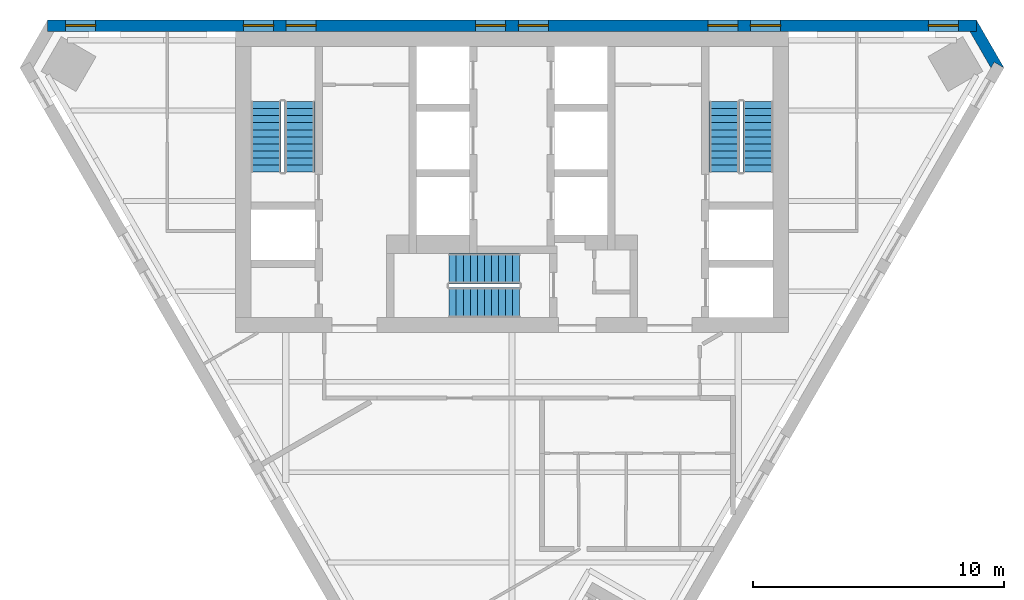
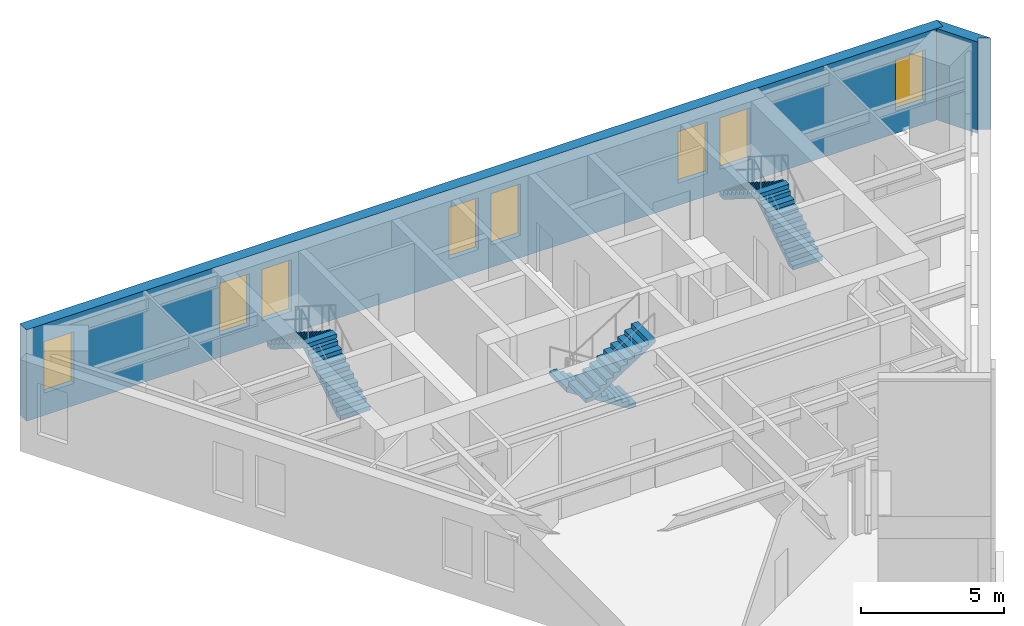
# One storey, part 5 of 6: 8 windows, 6 stair flights, 2 walls, 8 openings, 3 elements without a shape of their own.
"""IFC4 building model written with IfcOpenShell, lengths in metres."""

from ifc_helpers import new_model, si_unit, direction, frame, frame_2d, origin, place, context, subcontext, project, spatial, polyline, rectangle, outline, extrude, material, layer, layer_set, type_object, element, fill, aggregate, save


model = new_model("IFC4")

# Units and contexts
model_context = context("Model", 3, precision=1e-05, world=origin(), true_north=direction((0.0, 1.0)))
body_context = subcontext(model_context, "Body", "Model", "MODEL_VIEW")
ifc_project = project(units=[si_unit("LENGTHUNIT", "METRE"), si_unit("AREAUNIT", "SQUARE_METRE"), si_unit("VOLUMEUNIT", "CUBIC_METRE"), si_unit("PLANEANGLEUNIT", "RADIAN"), si_unit("MASSUNIT", "GRAM", prefix="KILO")], contexts=[model_context])

# Site, building, storey
site_placement = place(None, origin())
site = spatial("IfcSite", under=ifc_project, at=site_placement, CompositionType="ELEMENT")
building_placement = place(site_placement, origin())
building = spatial("IfcBuilding", under=site, at=building_placement, Name="Aloe Facet Convention Tower", CompositionType="ELEMENT")
storey_placement = place(building_placement, frame((0.0, 0.0, 273.800048828125)))
storey = spatial("IfcBuildingStorey", under=building, at=storey_placement, Name="L67", CompositionType="ELEMENT", Elevation=273.800048828125)

# Wall
ifc_material_1 = material(Name="Precast concrete C40/50", Category="concrete")
ifc_layer_1 = layer(ifc_material_1, 0.449951171875)
ifc_layer_set_1 = layer_set([ifc_layer_1], Name="EV-WALL-PIER")
wall_type_1 = type_object("IfcWallType", Name="EV-WALL-PIER", PredefinedType="SOLIDWALL", material=ifc_layer_set_1)
wall_1_placement = place(storey_placement, frame((0.0, 0.0, -0.150146484375)))
element("IfcWall", 1, at=wall_1_placement, inside=storey, type_object=wall_type_1, Name="EP-L67-C", PredefinedType="SOLIDWALL", context=body_context, shape_type="SweptSolid", body=[
    extrude(outline(polyline([(99.586181640625, 133.0947265625), (99.196533203125, 133.31982421875), (99.066650390625, 133.0947265625), (98.226318359375, 134.550048828125), (98.486083984375, 134.550048828125), (98.486083984375, 135.0), (99.586181640625, 133.0947265625)])), origin(), (0.0, 0.0, 1.0), 3.900146484375),
])

# Wall, openings, windows
ifc_material_2 = material(Name="Precast concrete C40/50", Category="concrete")
ifc_layer_2 = layer(ifc_material_2, 0.449951171875)
ifc_layer_set_2 = layer_set([ifc_layer_2], Name="EV-WALL-STONE")
wall_type_2 = type_object("IfcWallType", Name="EV-WALL-STONE", PredefinedType="SOLIDWALL", material=ifc_layer_set_2)
wall_2_placement = place(storey_placement, frame((98.486083984375, 134.77490234375, -0.150146484375), z_axis=(0.0, 0.0, 1.0), x_axis=(-1.0, 0.0, 0.0)))
wall_2 = element("IfcWall", 2, at=wall_2_placement, inside=storey, type_object=wall_type_2, Name="EW-L67-N01", PredefinedType="SOLIDWALL", context=body_context, shape_type="SweptSolid", body=[
    extrude(outline(polyline([(36.972412109375, 0.0), (36.972412109375, 3.900146484375), (0.0, 3.900146484375), (0.0, 0.0), (36.972412109375, 0.0)])), frame((0.0, 0.22509765625, 0.0), z_axis=(0.0, -1.0, 0.0), x_axis=(1.0, 0.0, 0.0)), (0.0, 0.0, 1.0), 0.449951171875),
])
opening_1_placement = place(wall_2_placement, frame((0.714599609375, 0.0, 0.949951171875)))
opening_1 = element("IfcOpeningElement", 3, at=opening_1_placement, cuts=wall_2, Name="Opening W-L67-N01", PredefinedType="OPENING", context=body_context, shape_type="SweptSolid", body=[
    extrude(rectangle(XDim=1.199951171875, YDim=2.199951171875, at=frame_2d((0.60009765625, 1.10009765625))), frame((0.0, 0.23486328125, 0.0), z_axis=(0.0, -1.0, 0.0), x_axis=(1.0, 0.0, 0.0)), (0.0, 0.0, 1.0), 0.469970703125),
])
opening_2_placement = place(wall_2_placement, frame((7.79296875, 0.0, 0.949951171875)))
opening_2 = element("IfcOpeningElement", 4, at=opening_2_placement, cuts=wall_2, Name="Opening W-L67-N02", PredefinedType="OPENING", context=body_context, shape_type="SweptSolid", body=[
    extrude(rectangle(XDim=1.199951171875, YDim=2.199951171875, at=frame_2d((0.60009765625, 1.10009765625))), frame((0.0, 0.23486328125, 0.0), z_axis=(0.0, -1.0, 0.0), x_axis=(1.0, 0.0, 0.0)), (0.0, 0.0, 1.0), 0.469970703125),
])
opening_3_placement = place(wall_2_placement, frame((9.4931640625, 0.0, 0.949951171875)))
opening_3 = element("IfcOpeningElement", 5, at=opening_3_placement, cuts=wall_2, Name="Opening W-L67-N03", PredefinedType="OPENING", context=body_context, shape_type="SweptSolid", body=[
    extrude(rectangle(XDim=1.199951171875, YDim=2.199951171875, at=frame_2d((0.60009765625, 1.10009765625))), frame((0.0, 0.23486328125, 0.0), z_axis=(0.0, -1.0, 0.0), x_axis=(1.0, 0.0, 0.0)), (0.0, 0.0, 1.0), 0.469970703125),
])
opening_4_placement = place(wall_2_placement, frame((17.0361328125, 0.0, 0.949951171875)))
opening_4 = element("IfcOpeningElement", 6, at=opening_4_placement, cuts=wall_2, Name="Opening W-L67-N04", PredefinedType="OPENING", context=body_context, shape_type="SweptSolid", body=[
    extrude(rectangle(XDim=1.199951171875, YDim=2.199951171875, at=frame_2d((0.60009765625, 1.10009765625))), frame((0.0, 0.23486328125, 0.0), z_axis=(0.0, -1.0, 0.0), x_axis=(1.0, 0.0, 0.0)), (0.0, 0.0, 1.0), 0.469970703125),
])
opening_5_placement = place(wall_2_placement, frame((18.736083984375, 0.0, 0.949951171875)))
opening_5 = element("IfcOpeningElement", 7, at=opening_5_placement, cuts=wall_2, Name="Opening W-L67-N05", PredefinedType="OPENING", context=body_context, shape_type="SweptSolid", body=[
    extrude(rectangle(XDim=1.199951171875, YDim=2.199951171875, at=frame_2d((0.60009765625, 1.10009765625))), frame((0.0, 0.23486328125, 0.0), z_axis=(0.0, -1.0, 0.0), x_axis=(1.0, 0.0, 0.0)), (0.0, 0.0, 1.0), 0.469970703125),
])
opening_6_placement = place(wall_2_placement, frame((26.279296875, 0.0, 0.949951171875)))
opening_6 = element("IfcOpeningElement", 8, at=opening_6_placement, cuts=wall_2, Name="Opening W-L67-N06", PredefinedType="OPENING", context=body_context, shape_type="SweptSolid", body=[
    extrude(rectangle(XDim=1.199951171875, YDim=2.199951171875, at=frame_2d((0.60009765625, 1.10009765625))), frame((0.0, 0.23486328125, 0.0), z_axis=(0.0, -1.0, 0.0), x_axis=(1.0, 0.0, 0.0)), (0.0, 0.0, 1.0), 0.469970703125),
])
opening_7_placement = place(wall_2_placement, frame((27.979248046875, 0.0, 0.949951171875)))
opening_7 = element("IfcOpeningElement", 9, at=opening_7_placement, cuts=wall_2, Name="Opening W-L67-N07", PredefinedType="OPENING", context=body_context, shape_type="SweptSolid", body=[
    extrude(rectangle(XDim=1.199951171875, YDim=2.199951171875, at=frame_2d((0.60009765625, 1.10009765625))), frame((0.0, 0.23486328125, 0.0), z_axis=(0.0, -1.0, 0.0), x_axis=(1.0, 0.0, 0.0)), (0.0, 0.0, 1.0), 0.469970703125),
])
opening_8_placement = place(wall_2_placement, frame((35.0576171875, 0.0, 0.949951171875)))
opening_8 = element("IfcOpeningElement", 10, at=opening_8_placement, cuts=wall_2, Name="Opening W-L67-N08", PredefinedType="OPENING", context=body_context, shape_type="SweptSolid", body=[
    extrude(rectangle(XDim=1.199951171875, YDim=2.199951171875, at=frame_2d((0.60009765625, 1.10009765625))), frame((0.0, 0.23486328125, 0.0), z_axis=(0.0, -1.0, 0.0), x_axis=(1.0, 0.0, 0.0)), (0.0, 0.0, 1.0), 0.469970703125),
])
ifc_material_3 = material(Name="Aluminium frame, clear double glazing", Category="aluminium")
window_type = type_object("IfcWindowType", Name="EV-WIN-O12", PartitioningType="SINGLE_PANEL", PredefinedType="WINDOW", material=ifc_material_3)
window_1_placement = place(opening_1_placement, origin())
window_1 = element("IfcWindow", 11, at=window_1_placement, inside=storey, type_object=window_type, Name="W-L67-N01", OverallHeight=2.199951171875, OverallWidth=1.199951171875, PartitioningType="SINGLE_PANEL", PredefinedType="WINDOW", context=body_context, shape_type="SweptSolid", body=[
    extrude(rectangle(XDim=1.199951171875, YDim=2.199951171875, at=frame_2d((0.60009765625, 1.10009765625))), frame((0.0, 0.030029296875, 0.0), z_axis=(0.0, -1.0, 0.0), x_axis=(1.0, 0.0, 0.0)), (0.0, 0.0, 1.0), 0.06005859375),
])
fill(opening_1, window_1)
window_2_placement = place(opening_2_placement, origin())
window_2 = element("IfcWindow", 12, at=window_2_placement, inside=storey, type_object=window_type, Name="W-L67-N02", OverallHeight=2.199951171875, OverallWidth=1.199951171875, PartitioningType="SINGLE_PANEL", PredefinedType="WINDOW", context=body_context, shape_type="SweptSolid", body=[
    extrude(rectangle(XDim=1.199951171875, YDim=2.199951171875, at=frame_2d((0.60009765625, 1.10009765625))), frame((0.0, 0.030029296875, 0.0), z_axis=(0.0, -1.0, 0.0), x_axis=(1.0, 0.0, 0.0)), (0.0, 0.0, 1.0), 0.06005859375),
])
fill(opening_2, window_2)
window_3_placement = place(opening_3_placement, origin())
window_3 = element("IfcWindow", 13, at=window_3_placement, inside=storey, type_object=window_type, Name="W-L67-N03", OverallHeight=2.199951171875, OverallWidth=1.199951171875, PartitioningType="SINGLE_PANEL", PredefinedType="WINDOW", context=body_context, shape_type="SweptSolid", body=[
    extrude(rectangle(XDim=1.199951171875, YDim=2.199951171875, at=frame_2d((0.60009765625, 1.10009765625))), frame((0.0, 0.030029296875, 0.0), z_axis=(0.0, -1.0, 0.0), x_axis=(1.0, 0.0, 0.0)), (0.0, 0.0, 1.0), 0.06005859375),
])
fill(opening_3, window_3)
window_4_placement = place(opening_4_placement, origin())
window_4 = element("IfcWindow", 14, at=window_4_placement, inside=storey, type_object=window_type, Name="W-L67-N04", OverallHeight=2.199951171875, OverallWidth=1.199951171875, PartitioningType="SINGLE_PANEL", PredefinedType="WINDOW", context=body_context, shape_type="SweptSolid", body=[
    extrude(rectangle(XDim=1.199951171875, YDim=2.199951171875, at=frame_2d((0.60009765625, 1.10009765625))), frame((0.0, 0.030029296875, 0.0), z_axis=(0.0, -1.0, 0.0), x_axis=(1.0, 0.0, 0.0)), (0.0, 0.0, 1.0), 0.06005859375),
])
fill(opening_4, window_4)
window_5_placement = place(opening_5_placement, origin())
window_5 = element("IfcWindow", 15, at=window_5_placement, inside=storey, type_object=window_type, Name="W-L67-N05", OverallHeight=2.199951171875, OverallWidth=1.199951171875, PartitioningType="SINGLE_PANEL", PredefinedType="WINDOW", context=body_context, shape_type="SweptSolid", body=[
    extrude(rectangle(XDim=1.199951171875, YDim=2.199951171875, at=frame_2d((0.60009765625, 1.10009765625))), frame((0.0, 0.030029296875, 0.0), z_axis=(0.0, -1.0, 0.0), x_axis=(1.0, 0.0, 0.0)), (0.0, 0.0, 1.0), 0.06005859375),
])
fill(opening_5, window_5)
window_6_placement = place(opening_6_placement, origin())
window_6 = element("IfcWindow", 16, at=window_6_placement, inside=storey, type_object=window_type, Name="W-L67-N06", OverallHeight=2.199951171875, OverallWidth=1.199951171875, PartitioningType="SINGLE_PANEL", PredefinedType="WINDOW", context=body_context, shape_type="SweptSolid", body=[
    extrude(rectangle(XDim=1.199951171875, YDim=2.199951171875, at=frame_2d((0.60009765625, 1.10009765625))), frame((0.0, 0.030029296875, 0.0), z_axis=(0.0, -1.0, 0.0), x_axis=(1.0, 0.0, 0.0)), (0.0, 0.0, 1.0), 0.06005859375),
])
fill(opening_6, window_6)
window_7_placement = place(opening_7_placement, origin())
window_7 = element("IfcWindow", 17, at=window_7_placement, inside=storey, type_object=window_type, Name="W-L67-N07", OverallHeight=2.199951171875, OverallWidth=1.199951171875, PartitioningType="SINGLE_PANEL", PredefinedType="WINDOW", context=body_context, shape_type="SweptSolid", body=[
    extrude(rectangle(XDim=1.199951171875, YDim=2.199951171875, at=frame_2d((0.60009765625, 1.10009765625))), frame((0.0, 0.030029296875, 0.0), z_axis=(0.0, -1.0, 0.0), x_axis=(1.0, 0.0, 0.0)), (0.0, 0.0, 1.0), 0.06005859375),
])
fill(opening_7, window_7)
window_8_placement = place(opening_8_placement, origin())
window_8 = element("IfcWindow", 18, at=window_8_placement, inside=storey, type_object=window_type, Name="W-L67-N08", OverallHeight=2.199951171875, OverallWidth=1.199951171875, PartitioningType="SINGLE_PANEL", PredefinedType="WINDOW", context=body_context, shape_type="SweptSolid", body=[
    extrude(rectangle(XDim=1.199951171875, YDim=2.199951171875, at=frame_2d((0.60009765625, 1.10009765625))), frame((0.0, 0.030029296875, 0.0), z_axis=(0.0, -1.0, 0.0), x_axis=(1.0, 0.0, 0.0)), (0.0, 0.0, 1.0), 0.06005859375),
])
fill(opening_8, window_8)

# Stair, stair flights
ifc_material_4 = material(Name="Concrete C50/60", Category="concrete")
stair_type = type_object("IfcStairType", Name="CR-ST-22R", PredefinedType="HALF_TURN_STAIR", material=ifc_material_4)
stair_1_placement = place(storey_placement, origin())
stair_1 = element("IfcStair", 19, at=stair_1_placement, inside=storey, type_object=stair_type, Name="L67 Protected exit stair ST1", PredefinedType="HALF_TURN_STAIR")
ifc_material_5 = material(Name="Concrete C50/60", Category="concrete")
stair_flight_type = type_object("IfcStairFlightType", Name="CR-SFL-22R", PredefinedType="STRAIGHT", material=ifc_material_5)
stair_flight_1_placement = place(storey_placement, frame((71.550048828125, 128.949951171875, 0.0), z_axis=(0.0, 0.0, 1.0), x_axis=(0.0, 1.0, 0.0)))
stair_flight_1 = element("IfcStairFlight", 20, at=stair_flight_1_placement, type_object=stair_flight_type, Name="ST1 flight 1", NumberOfRisers=11, NumberOfTreads=10, PredefinedType="STRAIGHT", RiserHeight=0.177272727, TreadLength=0.28, context=body_context, shape_type="SweptSolid", body=[
    extrude(outline(polyline([(0.0, 0.0), (0.0, 0.17724609375), (0.280029296875, 0.17724609375), (0.280029296875, 0.3544921875), (0.56005859375, 0.3544921875), (0.56005859375, 0.53173828125), (0.840087890625, 0.53173828125), (0.840087890625, 0.708984375), (1.1201171875, 0.708984375), (1.1201171875, 0.886474609375), (1.39990234375, 0.886474609375), (1.39990234375, 1.063720703125), (1.679931640625, 1.063720703125), (1.679931640625, 1.240966796875), (1.9599609375, 1.240966796875), (1.9599609375, 1.418212890625), (2.239990234375, 1.418212890625), (2.239990234375, 1.595458984375), (2.52001953125, 1.595458984375), (2.52001953125, 1.772705078125), (2.800048828125, 1.772705078125), (2.800048828125, 1.949951171875), (2.800048828125, 1.59521484375), (0.2802734375, 0.0), (0.0, 0.0)])), frame((0.0, 0.60009765625, 0.0), z_axis=(0.0, -1.0, 0.0), x_axis=(1.0, 0.0, 0.0)), (0.0, 0.0, 1.0), 1.199951171875),
])
stair_flight_2_placement = place(storey_placement, frame((70.199951171875, 131.75, 1.949951171875), z_axis=(0.0, 0.0, 1.0), x_axis=(0.0, -1.0, 0.0)))
stair_flight_2 = element("IfcStairFlight", 21, at=stair_flight_2_placement, type_object=stair_flight_type, Name="ST1 flight 2", NumberOfRisers=11, NumberOfTreads=10, PredefinedType="STRAIGHT", RiserHeight=0.177272727, TreadLength=0.28, context=body_context, shape_type="SweptSolid", body=[
    extrude(outline(polyline([(0.0, 0.0), (0.0, 0.17724609375), (0.280029296875, 0.17724609375), (0.280029296875, 0.3544921875), (0.56005859375, 0.3544921875), (0.56005859375, 0.53173828125), (0.840087890625, 0.53173828125), (0.840087890625, 0.708984375), (1.1201171875, 0.708984375), (1.1201171875, 0.886474609375), (1.39990234375, 0.886474609375), (1.39990234375, 1.063720703125), (1.679931640625, 1.063720703125), (1.679931640625, 1.240966796875), (1.9599609375, 1.240966796875), (1.9599609375, 1.418212890625), (2.239990234375, 1.418212890625), (2.239990234375, 1.595458984375), (2.52001953125, 1.595458984375), (2.52001953125, 1.772705078125), (2.800048828125, 1.772705078125), (2.800048828125, 1.949951171875), (2.800048828125, 1.59521484375), (0.2802734375, 0.0), (0.0, 0.0)])), frame((0.0, 0.60009765625, 0.0), z_axis=(0.0, -1.0, 0.0), x_axis=(1.0, 0.0, 0.0)), (0.0, 0.0, 1.0), 1.199951171875),
])
aggregate(stair_1, [stair_flight_1, stair_flight_2])

stair_2_placement = place(storey_placement, origin())
stair_2 = element("IfcStair", 22, at=stair_2_placement, inside=storey, type_object=stair_type, Name="L67 Protected exit stair ST2", PredefinedType="HALF_TURN_STAIR")
stair_flight_3_placement = place(storey_placement, frame((89.800048828125, 128.949951171875, 0.0), z_axis=(0.0, 0.0, 1.0), x_axis=(0.0, 1.0, 0.0)))
stair_flight_3 = element("IfcStairFlight", 23, at=stair_flight_3_placement, type_object=stair_flight_type, Name="ST2 flight 1", NumberOfRisers=11, NumberOfTreads=10, PredefinedType="STRAIGHT", RiserHeight=0.177272727, TreadLength=0.28, context=body_context, shape_type="SweptSolid", body=[
    extrude(outline(polyline([(0.0, 0.0), (0.0, 0.17724609375), (0.280029296875, 0.17724609375), (0.280029296875, 0.3544921875), (0.56005859375, 0.3544921875), (0.56005859375, 0.53173828125), (0.840087890625, 0.53173828125), (0.840087890625, 0.708984375), (1.1201171875, 0.708984375), (1.1201171875, 0.886474609375), (1.39990234375, 0.886474609375), (1.39990234375, 1.063720703125), (1.679931640625, 1.063720703125), (1.679931640625, 1.240966796875), (1.9599609375, 1.240966796875), (1.9599609375, 1.418212890625), (2.239990234375, 1.418212890625), (2.239990234375, 1.595458984375), (2.52001953125, 1.595458984375), (2.52001953125, 1.772705078125), (2.800048828125, 1.772705078125), (2.800048828125, 1.949951171875), (2.800048828125, 1.59521484375), (0.2802734375, 0.0), (0.0, 0.0)])), frame((0.0, 0.60009765625, 0.0), z_axis=(0.0, -1.0, 0.0), x_axis=(1.0, 0.0, 0.0)), (0.0, 0.0, 1.0), 1.199951171875),
])
stair_flight_4_placement = place(storey_placement, frame((88.449951171875, 131.75, 1.949951171875), z_axis=(0.0, 0.0, 1.0), x_axis=(0.0, -1.0, 0.0)))
stair_flight_4 = element("IfcStairFlight", 24, at=stair_flight_4_placement, type_object=stair_flight_type, Name="ST2 flight 2", NumberOfRisers=11, NumberOfTreads=10, PredefinedType="STRAIGHT", RiserHeight=0.177272727, TreadLength=0.28, context=body_context, shape_type="SweptSolid", body=[
    extrude(outline(polyline([(0.0, 0.0), (0.0, 0.17724609375), (0.280029296875, 0.17724609375), (0.280029296875, 0.3544921875), (0.56005859375, 0.3544921875), (0.56005859375, 0.53173828125), (0.840087890625, 0.53173828125), (0.840087890625, 0.708984375), (1.1201171875, 0.708984375), (1.1201171875, 0.886474609375), (1.39990234375, 0.886474609375), (1.39990234375, 1.063720703125), (1.679931640625, 1.063720703125), (1.679931640625, 1.240966796875), (1.9599609375, 1.240966796875), (1.9599609375, 1.418212890625), (2.239990234375, 1.418212890625), (2.239990234375, 1.595458984375), (2.52001953125, 1.595458984375), (2.52001953125, 1.772705078125), (2.800048828125, 1.772705078125), (2.800048828125, 1.949951171875), (2.800048828125, 1.59521484375), (0.2802734375, 0.0), (0.0, 0.0)])), frame((0.0, 0.60009765625, 0.0), z_axis=(0.0, -1.0, 0.0), x_axis=(1.0, 0.0, 0.0)), (0.0, 0.0, 1.0), 1.199951171875),
])
aggregate(stair_2, [stair_flight_3, stair_flight_4])

stair_3_placement = place(storey_placement, origin())
stair_3 = element("IfcStair", 25, at=stair_3_placement, inside=storey, type_object=stair_type, Name="L67 Protected exit stair ST3", PredefinedType="HALF_TURN_STAIR")
stair_flight_5_placement = place(storey_placement, frame((80.300048828125, 125.10009765625, 0.0), z_axis=(0.0, 0.0, 1.0), x_axis=(-1.0, 0.0, 0.0)))
stair_flight_5 = element("IfcStairFlight", 26, at=stair_flight_5_placement, type_object=stair_flight_type, Name="ST3 flight 1", NumberOfRisers=11, NumberOfTreads=10, PredefinedType="STRAIGHT", RiserHeight=0.177272727, TreadLength=0.28, context=body_context, shape_type="SweptSolid", body=[
    extrude(outline(polyline([(0.0, 0.0), (0.0, 0.17724609375), (0.280029296875, 0.17724609375), (0.280029296875, 0.3544921875), (0.56005859375, 0.3544921875), (0.56005859375, 0.53173828125), (0.840087890625, 0.53173828125), (0.840087890625, 0.708984375), (1.1201171875, 0.708984375), (1.1201171875, 0.886474609375), (1.39990234375, 0.886474609375), (1.39990234375, 1.063720703125), (1.679931640625, 1.063720703125), (1.679931640625, 1.240966796875), (1.9599609375, 1.240966796875), (1.9599609375, 1.418212890625), (2.239990234375, 1.418212890625), (2.239990234375, 1.595458984375), (2.52001953125, 1.595458984375), (2.52001953125, 1.772705078125), (2.800048828125, 1.772705078125), (2.800048828125, 1.949951171875), (2.800048828125, 1.59521484375), (0.2802734375, 0.0), (0.0, 0.0)])), frame((0.0, 0.60009765625, 0.0), z_axis=(0.0, -1.0, 0.0), x_axis=(1.0, 0.0, 0.0)), (0.0, 0.0, 1.0), 1.199951171875),
])
stair_flight_6_placement = place(storey_placement, frame((77.5, 123.75, 1.949951171875), z_axis=(0.0, 0.0, 1.0), x_axis=(1.0, 0.0, 0.0)))
stair_flight_6 = element("IfcStairFlight", 27, at=stair_flight_6_placement, type_object=stair_flight_type, Name="ST3 flight 2", NumberOfRisers=11, NumberOfTreads=10, PredefinedType="STRAIGHT", RiserHeight=0.177272727, TreadLength=0.28, context=body_context, shape_type="SweptSolid", body=[
    extrude(outline(polyline([(0.0, 0.0), (0.0, 0.17724609375), (0.280029296875, 0.17724609375), (0.280029296875, 0.3544921875), (0.56005859375, 0.3544921875), (0.56005859375, 0.53173828125), (0.840087890625, 0.53173828125), (0.840087890625, 0.708984375), (1.1201171875, 0.708984375), (1.1201171875, 0.886474609375), (1.39990234375, 0.886474609375), (1.39990234375, 1.063720703125), (1.679931640625, 1.063720703125), (1.679931640625, 1.240966796875), (1.9599609375, 1.240966796875), (1.9599609375, 1.418212890625), (2.239990234375, 1.418212890625), (2.239990234375, 1.595458984375), (2.52001953125, 1.595458984375), (2.52001953125, 1.772705078125), (2.800048828125, 1.772705078125), (2.800048828125, 1.949951171875), (2.800048828125, 1.59521484375), (0.2802734375, 0.0), (0.0, 0.0)])), frame((0.0, 0.60009765625, 0.0), z_axis=(0.0, -1.0, 0.0), x_axis=(1.0, 0.0, 0.0)), (0.0, 0.0, 1.0), 1.199951171875),
])
aggregate(stair_3, [stair_flight_5, stair_flight_6])

save(model, "model.ifc")
